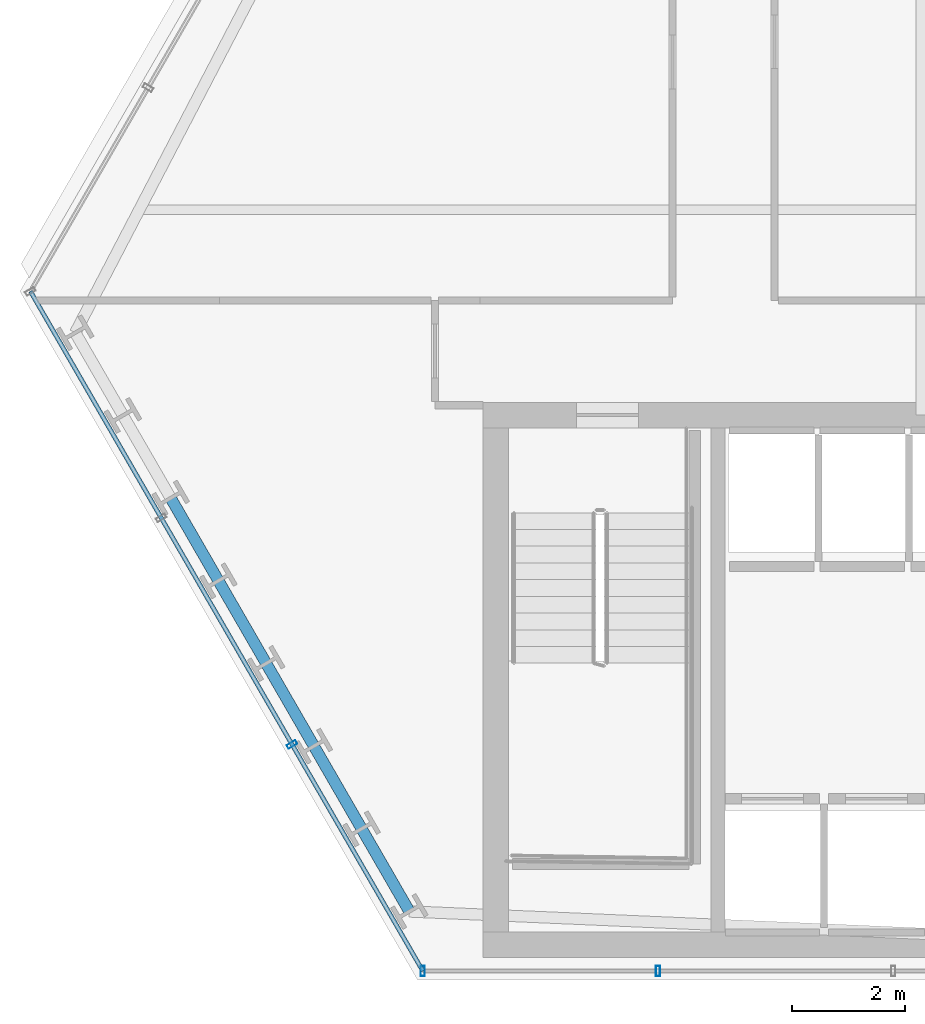
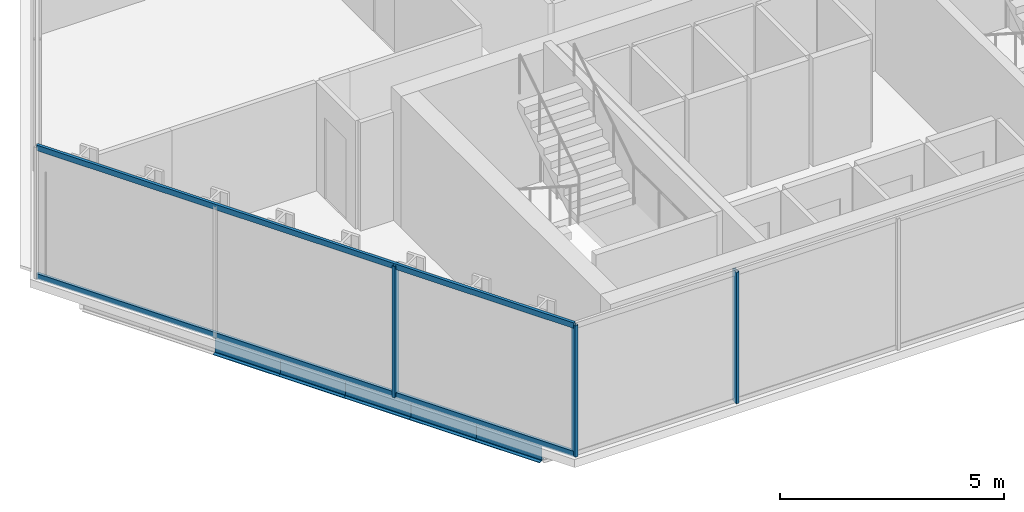
# One storey, part 2 of 32: 5 beams, 5 members, 2 elements without a shape of their own.
"""IFC4 building model written with IfcOpenShell, lengths in metres."""

from ifc_helpers import new_model, si_unit, direction, frame, origin, origin_2d, place, context, subcontext, project, spatial, hollow_rectangle, i_section, extrude, material, layer, layer_set, material_profile, profile_set, type_object, element, aggregate, save


model = new_model("IFC4")

# Units and contexts
model_context = context("Model", 3, precision=1e-05, world=origin(), true_north=direction((0.0, 1.0)))
body_context = subcontext(model_context, "Body", "Model", "MODEL_VIEW")
ifc_project = project(units=[si_unit("LENGTHUNIT", "METRE"), si_unit("AREAUNIT", "SQUARE_METRE"), si_unit("VOLUMEUNIT", "CUBIC_METRE"), si_unit("PLANEANGLEUNIT", "RADIAN"), si_unit("MASSUNIT", "GRAM", prefix="KILO")], contexts=[model_context])

# Site, building, storey
site_placement = place(None, origin())
site = spatial("IfcSite", under=ifc_project, at=site_placement, CompositionType="ELEMENT")
building_placement = place(site_placement, origin())
building = spatial("IfcBuilding", under=site, at=building_placement, Name="Ndaravel Arena Tower", CompositionType="ELEMENT")
storey_placement = place(building_placement, frame((0.0, 0.0, 93.0)))
storey = spatial("IfcBuildingStorey", under=building, at=storey_placement, Name="L21", CompositionType="ELEMENT", Elevation=93.0)

# Beams
ifc_material_1 = material(Name="Steel S355", Category="steel")
ifc_material_profile_1 = material_profile(ifc_material_1, i_section(OverallWidth=0.199951171875, OverallDepth=0.5, WebThickness=0.01025390625, FlangeThickness=0.01611328125, FilletRadius=0.02099609375, at=origin_2d()), Name="IPE 500")
ifc_profile_set_1 = profile_set([ifc_material_profile_1], Name="Steel S355")
beam_type = type_object("IfcBeamType", Name="BM-SPAN-IPE500", PredefinedType="SPANDREL", material=ifc_profile_set_1)
beam_1_placement = place(storey_placement, frame((20.93603515625, 13.510498046875, -0.469970703125), z_axis=(0.499985669323, -0.866033677446, 0.0), x_axis=(0.866033677446, 0.499985669323, 0.0)))
element("IfcBeam", 1, at=beam_1_placement, inside=storey, type_object=beam_type, Name="L21 Perimeter Spandrel Beam SP-22", PredefinedType="SPANDREL", context=body_context, shape_type="SweptSolid", body=[
    extrude(i_section(OverallWidth=0.199951171875, OverallDepth=0.5, WebThickness=0.01025390625, FlangeThickness=0.01611328125, FilletRadius=0.02099609375, at=origin_2d()), origin(), (0.0, 0.0, 1.0), 1.68603515625),
])
beam_2_placement = place(storey_placement, frame((21.779052734375, 12.05029296875, -0.469970703125), z_axis=(0.500048373822, -0.865997473344, 0.0), x_axis=(0.865997473344, 0.500048373822, 0.0)))
element("IfcBeam", 2, at=beam_2_placement, inside=storey, type_object=beam_type, Name="L21 Perimeter Spandrel Beam SP-23", PredefinedType="SPANDREL", context=body_context, shape_type="SweptSolid", body=[
    extrude(i_section(OverallWidth=0.199951171875, OverallDepth=0.5, WebThickness=0.01025390625, FlangeThickness=0.01611328125, FilletRadius=0.02099609375, at=origin_2d()), origin(), (0.0, 0.0, 1.0), 1.685791015625),
])
beam_3_placement = place(storey_placement, frame((22.6220703125, 10.59033203125, -0.469970703125), z_axis=(0.499985669323, -0.866033677446, 0.0), x_axis=(0.866033677446, 0.499985669323, 0.0)))
element("IfcBeam", 3, at=beam_3_placement, inside=storey, type_object=beam_type, Name="L21 Perimeter Spandrel Beam SP-24", PredefinedType="SPANDREL", context=body_context, shape_type="SweptSolid", body=[
    extrude(i_section(OverallWidth=0.199951171875, OverallDepth=0.5, WebThickness=0.01025390625, FlangeThickness=0.01611328125, FilletRadius=0.02099609375, at=origin_2d()), origin(), (0.0, 0.0, 1.0), 1.68603515625),
])
beam_4_placement = place(storey_placement, frame((23.465087890625, 9.130126953125, -0.469970703125), z_axis=(0.499939757307, -0.866060182126, 0.0), x_axis=(0.866060182126, 0.499939757307, 0.0)))
element("IfcBeam", 4, at=beam_4_placement, inside=storey, type_object=beam_type, Name="L21 Perimeter Spandrel Beam SP-25", PredefinedType="SPANDREL", context=body_context, shape_type="SweptSolid", body=[
    extrude(i_section(OverallWidth=0.199951171875, OverallDepth=0.5, WebThickness=0.01025390625, FlangeThickness=0.01611328125, FilletRadius=0.02099609375, at=origin_2d()), origin(), (0.0, 0.0, 1.0), 1.685791015625),
])
beam_5_placement = place(storey_placement, frame((24.307861328125, 7.670166015625, -0.469970703125), z_axis=(0.499985669323, -0.866033677446, 0.0), x_axis=(0.866033677446, 0.499985669323, 0.0)))
element("IfcBeam", 5, at=beam_5_placement, inside=storey, type_object=beam_type, Name="L21 Perimeter Spandrel Beam SP-26", PredefinedType="SPANDREL", context=body_context, shape_type="SweptSolid", body=[
    extrude(i_section(OverallWidth=0.199951171875, OverallDepth=0.5, WebThickness=0.01025390625, FlangeThickness=0.01611328125, FilletRadius=0.02099609375, at=origin_2d()), origin(), (0.0, 0.0, 1.0), 1.68603515625),
])

# Curtain wall, members
ifc_material_2 = material(Name="Aluminium", Category="aluminium")
ifc_layer_1 = layer(ifc_material_2, 0.179931640625)
ifc_layer_set_1 = layer_set([ifc_layer_1], Name="Aluminium")
curtain_wall_type_1 = type_object("IfcCurtainWallType", Name="CW-SYS-03", PredefinedType="NOTDEFINED", material=ifc_layer_set_1)
curtain_wall_1_placement = place(storey_placement, origin())
curtain_wall_1 = element("IfcCurtainWall", 6, at=curtain_wall_1_placement, inside=storey, type_object=curtain_wall_type_1, Name="L21 Faceted Crystal Curtain Wall CW-L21-E01", PredefinedType="NOTDEFINED")
ifc_material_3 = material(Name="Aluminium", Category="aluminium")
ifc_material_profile_2 = material_profile(ifc_material_3, hollow_rectangle(XDim=0.074951171875, YDim=0.179931640625, WallThickness=0.00390625, at=origin_2d()), Name="CW MULLION 75x180x4")
ifc_profile_set_2 = profile_set([ifc_material_profile_2], Name="Aluminium")
member_type_1 = type_object("IfcMemberType", Name="MEM-CW-MUL180", PredefinedType="MULLION", material=ifc_profile_set_2)
member_1_placement = place(storey_placement, frame((25.3876953125, 5.159912109375, 0.0), z_axis=(0.0, 0.0, 1.0), x_axis=(1.0, 0.0, 0.0)))
member_1 = element("IfcMember", 7, at=member_1_placement, type_object=member_type_1, Name="CW-L21-E01 Mullion 00", PredefinedType="MULLION", context=body_context, shape_type="SweptSolid", body=[
    extrude(hollow_rectangle(XDim=0.074951171875, YDim=0.179931640625, WallThickness=0.00390625, at=origin_2d()), origin(), (0.0, 0.0, 1.0), 3.580078125),
])
member_2_placement = place(storey_placement, frame((29.540771484375, 5.159912109375, 0.0), z_axis=(0.0, 0.0, 1.0), x_axis=(1.0, 0.0, 0.0)))
member_2 = element("IfcMember", 8, at=member_2_placement, type_object=member_type_1, Name="CW-L21-E01 Mullion 01", PredefinedType="MULLION", context=body_context, shape_type="SweptSolid", body=[
    extrude(hollow_rectangle(XDim=0.074951171875, YDim=0.179931640625, WallThickness=0.00390625, at=origin_2d()), origin(), (0.0, 0.0, 1.0), 3.580078125),
])
aggregate(curtain_wall_1, [member_1, member_2])

ifc_material_4 = material(Name="Aluminium", Category="aluminium")
ifc_layer_2 = layer(ifc_material_4, 0.179931640625)
ifc_layer_set_2 = layer_set([ifc_layer_2], Name="Aluminium")
curtain_wall_type_2 = type_object("IfcCurtainWallType", Name="CW-SYS-02", PredefinedType="NOTDEFINED", material=ifc_layer_set_2)
curtain_wall_2_placement = place(storey_placement, origin())
curtain_wall_2 = element("IfcCurtainWall", 9, at=curtain_wall_2_placement, inside=storey, type_object=curtain_wall_type_2, Name="L21 Faceted Crystal Curtain Wall CW-L21-E06", PredefinedType="NOTDEFINED")
member_3_placement = place(storey_placement, frame((23.078125, 9.16015625, 0.0), z_axis=(0.0, 0.0, 1.0), x_axis=(0.5, -0.866025403784, 0.0)))
member_3 = element("IfcMember", 10, at=member_3_placement, type_object=member_type_1, Name="CW-L21-E06 Mullion 02", PredefinedType="MULLION", context=body_context, shape_type="SweptSolid", body=[
    extrude(hollow_rectangle(XDim=0.074951171875, YDim=0.179931640625, WallThickness=0.00390625, at=origin_2d()), origin(), (0.0, 0.0, 1.0), 3.580078125),
])
ifc_material_5 = material(Name="Aluminium", Category="aluminium")
ifc_material_profile_3 = material_profile(ifc_material_5, hollow_rectangle(XDim=0.074951171875, YDim=0.14990234375, WallThickness=0.00390625, at=origin_2d()), Name="CW TRANSOM 75x150x4")
ifc_profile_set_3 = profile_set([ifc_material_profile_3], Name="Aluminium")
member_type_2 = type_object("IfcMemberType", Name="MEM-CW-TRN150", PredefinedType="USERDEFINED", material=ifc_profile_set_3)
member_4_placement = place(storey_placement, frame((18.458984375, 17.16064453125, 0.0400390625), z_axis=(0.500004591975, -0.86602275259, 0.0), x_axis=(0.86602275259, 0.500004591975, 0.0)))
member_4 = element("IfcMember", 11, at=member_4_placement, type_object=member_type_2, Name="CW-L21-E06 Transom 01", ObjectType="TRANSOM", PredefinedType="USERDEFINED", context=body_context, shape_type="SweptSolid", body=[
    extrude(hollow_rectangle(XDim=0.074951171875, YDim=0.14990234375, WallThickness=0.00390625, at=origin_2d()), origin(), (0.0, 0.0, 1.0), 13.857177734375),
])
member_5_placement = place(storey_placement, frame((18.458984375, 17.16064453125, 3.5400390625), z_axis=(0.500004591975, -0.86602275259, 0.0), x_axis=(0.86602275259, 0.500004591975, 0.0)))
member_5 = element("IfcMember", 12, at=member_5_placement, type_object=member_type_2, Name="CW-L21-E06 Transom 02", ObjectType="TRANSOM", PredefinedType="USERDEFINED", context=body_context, shape_type="SweptSolid", body=[
    extrude(hollow_rectangle(XDim=0.074951171875, YDim=0.14990234375, WallThickness=0.00390625, at=origin_2d()), origin(), (0.0, 0.0, 1.0), 13.857177734375),
])
aggregate(curtain_wall_2, [member_3, member_4, member_5])

save(model, "model.ifc")
